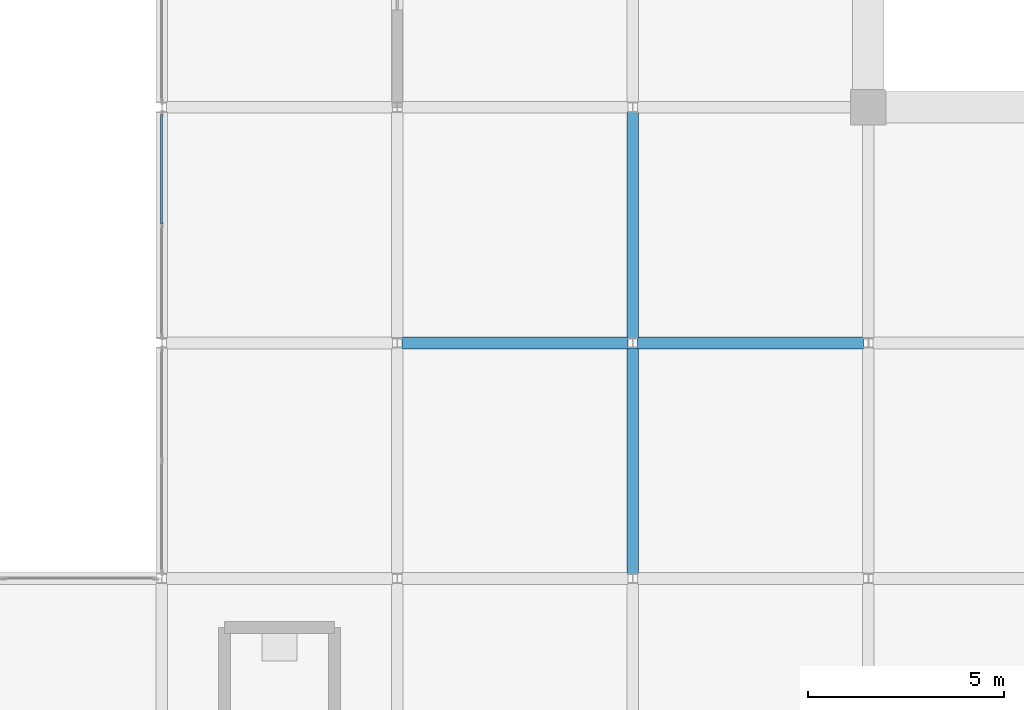
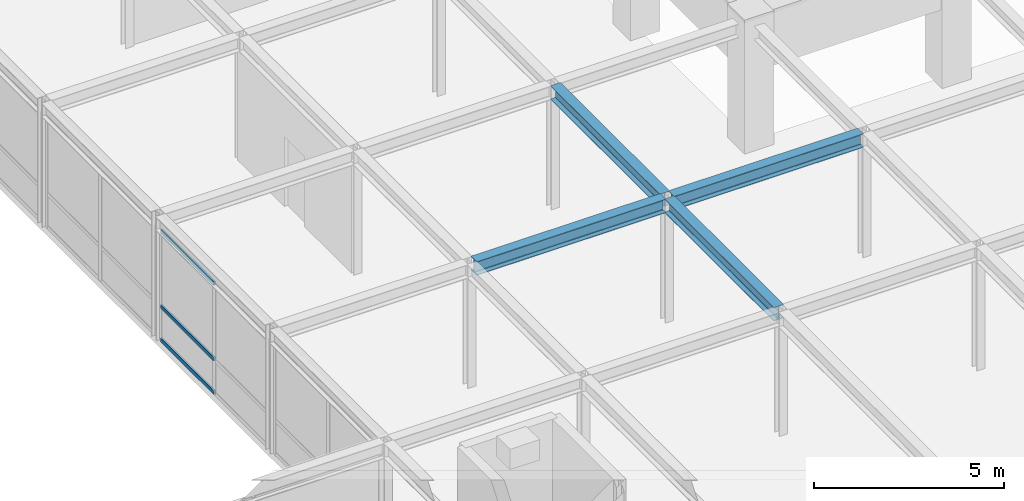
# One storey, part 48 of 111: 4 beams, 3 members, 1 element without a shape of its own.
"""IFC4 building model written with IfcOpenShell, lengths in metres."""

from ifc_helpers import new_model, si_unit, direction, frame, origin, origin_2d, place, context, subcontext, project, spatial, hollow_rectangle, i_section, extrude, material, layer, layer_set, material_profile, profile_set, type_object, element, aggregate, save


model = new_model("IFC4")

# Units and contexts
model_context = context("Model", 3, precision=1e-05, world=origin(), true_north=direction((0.0, 1.0)))
body_context = subcontext(model_context, "Body", "Model", "MODEL_VIEW")
ifc_project = project(units=[si_unit("LENGTHUNIT", "METRE"), si_unit("AREAUNIT", "SQUARE_METRE"), si_unit("VOLUMEUNIT", "CUBIC_METRE"), si_unit("PLANEANGLEUNIT", "RADIAN"), si_unit("MASSUNIT", "GRAM", prefix="KILO")], contexts=[model_context])

# Site, building, storey
site_placement = place(None, origin())
site = spatial("IfcSite", under=ifc_project, at=site_placement, CompositionType="ELEMENT")
building_placement = place(site_placement, origin())
building = spatial("IfcBuilding", under=site, at=building_placement, Name="Zlatovratsky Civic Hall", CompositionType="ELEMENT")
storey_placement = place(building_placement, frame((0.0, 0.0, 16.5)))
storey = spatial("IfcBuildingStorey", under=building, at=storey_placement, Name="L04", CompositionType="ELEMENT", Elevation=16.5)

# Beams
ifc_material_1 = material(Name="Steel S355", Category="steel")
ifc_material_profile_1 = material_profile(ifc_material_1, i_section(OverallWidth=0.300048828125, OverallDepth=0.43994140625, WebThickness=0.010986328125, FlangeThickness=0.01806640625, FilletRadius=0.02197265625, at=origin_2d()), Name="45Sh1")
ifc_profile_set_1 = profile_set([ifc_material_profile_1], Name="Steel S355")
beam_type = type_object("IfcBeamType", Name="Beam_TowerLow_45Sh1", PredefinedType="BEAM", material=ifc_profile_set_1)
for number, where, z_axis, x_axis, name in (
    (1, (54.125, 36.0, 3.780029296875), (1.0, 0.0, 0.0), (0.0, 1.0, 0.0), "BM-3277"),
    (2, (60.125, 36.0, 3.780029296875), (1.0, 0.0, 0.0), (0.0, 1.0, 0.0), "BM-3278"),
    (3, (60.0, 30.125, 3.780029296875), (0.0, 1.0, 0.0), (-1.0, 0.0, 0.0), "BM-3621"),
    (4, (60.0, 36.125, 3.780029296875), (0.0, 1.0, 0.0), (-1.0, 0.0, 0.0), "BM-3622"),
):
    element("IfcBeam", number, at=place(storey_placement, frame(where, z_axis=z_axis, x_axis=x_axis)), inside=storey, type_object=beam_type, Name=name, PredefinedType="BEAM", context=body_context, shape_type="SweptSolid", body=[
        extrude(i_section(OverallWidth=0.300048828125, OverallDepth=0.43994140625, WebThickness=0.010986328125, FlangeThickness=0.01806640625, FilletRadius=0.02197265625, at=origin_2d()), origin(), (0.0, 0.0, 1.0), 5.75),
    ])

# Curtain wall, members
ifc_material_2 = material(Name="Anodised bronze aluminium", Category="aluminium")
ifc_layer = layer(ifc_material_2, 0.159912109375)
ifc_layer_set = layer_set([ifc_layer], Name="Anodised bronze aluminium")
curtain_wall_type = type_object("IfcCurtainWallType", Name="CurtainWall_Bronze_5750x3550_18", PredefinedType="NOTDEFINED", material=ifc_layer_set)
curtain_wall_placement = place(storey_placement, origin())
curtain_wall = element("IfcCurtainWall", 5, at=curtain_wall_placement, inside=storey, type_object=curtain_wall_type, Name="CW-106", PredefinedType="NOTDEFINED")
ifc_material_profile_2 = material_profile(ifc_material_2, hollow_rectangle(XDim=0.06005859375, YDim=0.1201171875, WallThickness=0.00390625, at=origin_2d()), Name="ALU 60x120x4")
ifc_profile_set_2 = profile_set([ifc_material_profile_2], Name="Anodised bronze aluminium")
member_type = type_object("IfcMemberType", Name="CW_Transom_60x120", PredefinedType="USERDEFINED", material=ifc_profile_set_2)
member_1_placement = place(storey_placement, frame((48.0, 39.030029296875, 0.030029296875), z_axis=(0.0, 1.0, 0.0), x_axis=(-1.0, 0.0, 0.0)))
member_1 = element("IfcMember", 6, at=member_1_placement, type_object=member_type, Name="CW-18 transom 2.1", ObjectType="TRANSOM", PredefinedType="USERDEFINED", context=body_context, shape_type="SweptSolid", body=[
    extrude(hollow_rectangle(XDim=0.06005859375, YDim=0.1201171875, WallThickness=0.00390625, at=origin_2d()), origin(), (0.0, 0.0, 1.0), 2.784912109375),
])
member_2_placement = place(storey_placement, frame((48.0, 39.030029296875, 1.10009765625), z_axis=(0.0, 1.0, 0.0), x_axis=(-1.0, 0.0, 0.0)))
member_2 = element("IfcMember", 7, at=member_2_placement, type_object=member_type, Name="CW-18 transom 2.2", ObjectType="TRANSOM", PredefinedType="USERDEFINED", context=body_context, shape_type="SweptSolid", body=[
    extrude(hollow_rectangle(XDim=0.06005859375, YDim=0.1201171875, WallThickness=0.00390625, at=origin_2d()), origin(), (0.0, 0.0, 1.0), 2.784912109375),
])
member_3_placement = place(storey_placement, frame((48.0, 39.030029296875, 3.52001953125), z_axis=(0.0, 1.0, 0.0), x_axis=(-1.0, 0.0, 0.0)))
member_3 = element("IfcMember", 8, at=member_3_placement, type_object=member_type, Name="CW-18 transom 2.3", ObjectType="TRANSOM", PredefinedType="USERDEFINED", context=body_context, shape_type="SweptSolid", body=[
    extrude(hollow_rectangle(XDim=0.06005859375, YDim=0.1201171875, WallThickness=0.00390625, at=origin_2d()), origin(), (0.0, 0.0, 1.0), 2.784912109375),
])
aggregate(curtain_wall, [member_1, member_2, member_3])

save(model, "model.ifc")
